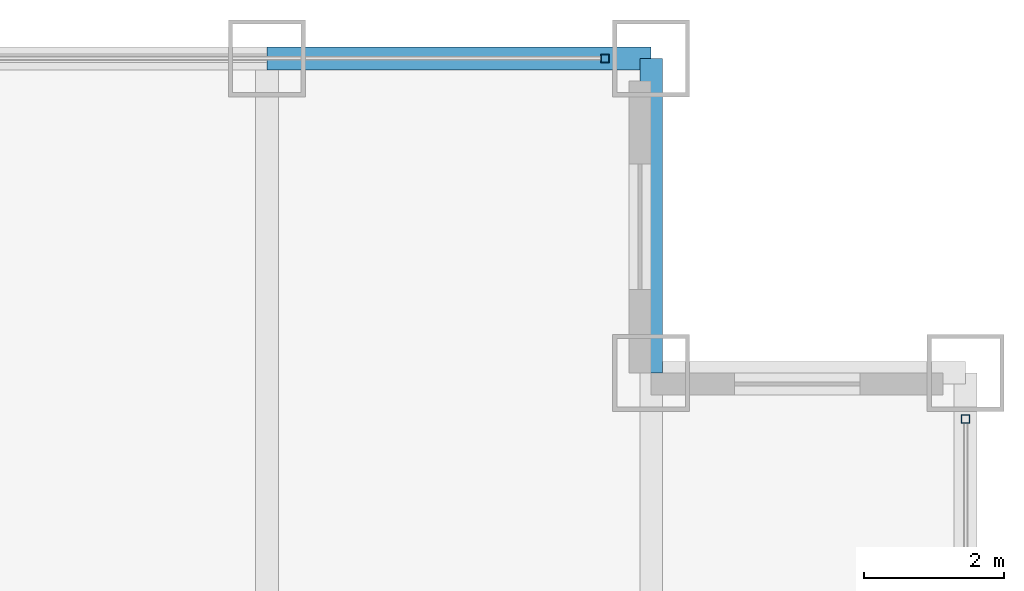
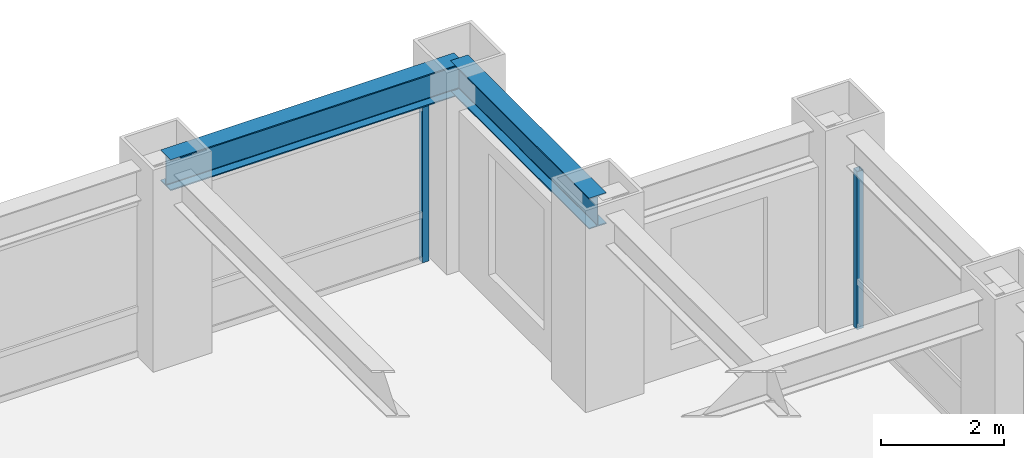
# One storey, part 18 of 24: 2 beams, 2 members, 2 elements without a shape of their own.
"""IFC4 building model written with IfcOpenShell, lengths in metres."""

from ifc_helpers import new_model, si_unit, direction, frame, origin, origin_2d, place, context, subcontext, project, spatial, hollow_rectangle, i_section, extrude, source, transform, mapped, material, material_profile, profile_set, type_object, element, aggregate, save


model = new_model("IFC4")

# Units and contexts
model_context = context("Model", 3, precision=1e-05, world=origin(), true_north=direction((0.0, 1.0)))
body_context = subcontext(model_context, "Body", "Model", "MODEL_VIEW")
ifc_project = project(units=[si_unit("LENGTHUNIT", "METRE"), si_unit("AREAUNIT", "SQUARE_METRE"), si_unit("VOLUMEUNIT", "CUBIC_METRE"), si_unit("PLANEANGLEUNIT", "RADIAN"), si_unit("MASSUNIT", "GRAM", prefix="KILO")], contexts=[model_context])

# Site, building, storey
site_placement = place(None, origin())
site = spatial("IfcSite", under=ifc_project, at=site_placement, CompositionType="ELEMENT")
building_placement = place(site_placement, origin())
building = spatial("IfcBuilding", under=site, at=building_placement, Name="Khorayat Bourse Tower", CompositionType="ELEMENT")
storey_placement = place(building_placement, frame((0.0, 0.0, 175.10009765625)))
storey = spatial("IfcBuildingStorey", under=building, at=storey_placement, Name="L40", CompositionType="ELEMENT", Elevation=175.10009765625)

# Beams
ifc_material_1 = material(Name="Steel ASTM A992 Grade 50", Category="steel")
ifc_material_profile_1 = material_profile(ifc_material_1, i_section(OverallWidth=0.324951171875, OverallDepth=0.615966796875, WebThickness=0.013916015625, FlangeThickness=0.021484375, FilletRadius=0.01611328125, at=origin_2d()), Name="W610X174")
ifc_profile_set_1 = profile_set([ifc_material_profile_1], Name="Steel ASTM A992 Grade 50")
beam_type = type_object("IfcBeamType", Name="BM-SPAN-610", PredefinedType="SPANDREL", material=ifc_profile_set_1)
shared_shape_1 = source(origin(), body_context, "Body", "SweptSolid", [
    extrude(i_section(OverallWidth=0.324951171875, OverallDepth=0.615966796875, WebThickness=0.013916015625, FlangeThickness=0.021484375, FilletRadius=0.01611328125, at=origin_2d()), origin(), (0.0, 0.0, 1.0), 5.5),
])
beam_1_placement = place(storey_placement, frame((20.0, 30.0, 3.471923828125), z_axis=(1.0, 0.0, 0.0), x_axis=(0.0, 1.0, 0.0)))
element("IfcBeam", 1, at=beam_1_placement, inside=storey, type_object=beam_type, Name="L40 BM-SPAN-610 BM-L40-SPN-044", PredefinedType="SPANDREL", context=body_context, shape_type="MappedRepresentation", body=[
    mapped(shared_shape_1, transform((0.0, 0.0, 0.0), scale=1.0)),
])
shared_shape_2 = source(origin(), body_context, "Body", "SweptSolid", [
    extrude(i_section(OverallWidth=0.324951171875, OverallDepth=0.615966796875, WebThickness=0.013916015625, FlangeThickness=0.021484375, FilletRadius=0.01611328125, at=origin_2d()), origin(), (0.0, 0.0, 1.0), 4.5),
])
beam_2_placement = place(storey_placement, frame((25.5, 25.5, 3.471923828125), z_axis=(0.0, 1.0, 0.0), x_axis=(-1.0, 0.0, 0.0)))
element("IfcBeam", 2, at=beam_2_placement, inside=storey, type_object=beam_type, Name="L40 BM-SPAN-610 BM-L40-SPN-043", PredefinedType="SPANDREL", context=body_context, shape_type="MappedRepresentation", body=[
    mapped(shared_shape_2, transform((0.0, 0.0, 0.0), scale=1.0)),
])

# Curtain wall, member
ifc_material_2 = material(Name="Aluminium EN AW-6063 T6", Category="aluminium")
curtain_wall_type = type_object("IfcCurtainWallType", Name="CW-SYS-03", PredefinedType="NOTDEFINED", material=ifc_material_2)
curtain_wall_1_placement = place(storey_placement, origin())
curtain_wall_1 = element("IfcCurtainWall", 3, at=curtain_wall_1_placement, inside=storey, type_object=curtain_wall_type, Name="L40 Curtain Wall CW-L40-N1", PredefinedType="NOTDEFINED")
ifc_material_profile_2 = material_profile(ifc_material_2, hollow_rectangle(XDim=0.1201171875, YDim=0.1201171875, WallThickness=0.0048828125, at=origin_2d()), Name="ALU 120x120x5")
ifc_profile_set_2 = profile_set([ifc_material_profile_2], Name="Aluminium EN AW-6063 T6")
member_type = type_object("IfcMemberType", Name="CWM-VERT-120", PredefinedType="MULLION", material=ifc_profile_set_2)
shared_shape_3 = source(origin(), body_context, "Body", "SweptSolid", [
    extrude(hollow_rectangle(XDim=0.1201171875, YDim=0.1201171875, WallThickness=0.0048828125, at=origin_2d()), origin(), (0.0, 0.0, 1.0), 3.1298828125),
])
member_1_placement = place(storey_placement, frame((24.840087890625, 30.0, 0.0), z_axis=(0.0, 0.0, 1.0), x_axis=(0.0, 1.0, 0.0)))
member_1 = element("IfcMember", 4, at=member_1_placement, type_object=member_type, Name="CW-L40-N1 Vertical Mullion 3", PredefinedType="MULLION", context=body_context, shape_type="MappedRepresentation", body=[
    mapped(shared_shape_3, transform((0.0, 0.0, 0.0), scale=1.0)),
])
aggregate(curtain_wall_1, [member_1])

curtain_wall_2_placement = place(storey_placement, origin())
curtain_wall_2 = element("IfcCurtainWall", 5, at=curtain_wall_2_placement, inside=storey, type_object=curtain_wall_type, Name="L40 Curtain Wall CW-L40-E1", PredefinedType="NOTDEFINED")
member_2_placement = place(storey_placement, frame((30.0, 24.840087890625, 0.0), z_axis=(0.0, 0.0, 1.0), x_axis=(-1.0, 0.0, 0.0)))
member_2 = element("IfcMember", 6, at=member_2_placement, type_object=member_type, Name="CW-L40-E1 Vertical Mullion 3", PredefinedType="MULLION", context=body_context, shape_type="MappedRepresentation", body=[
    mapped(shared_shape_3, transform((0.0, 0.0, 0.0), scale=1.0)),
])
aggregate(curtain_wall_2, [member_2])

save(model, "model.ifc")
